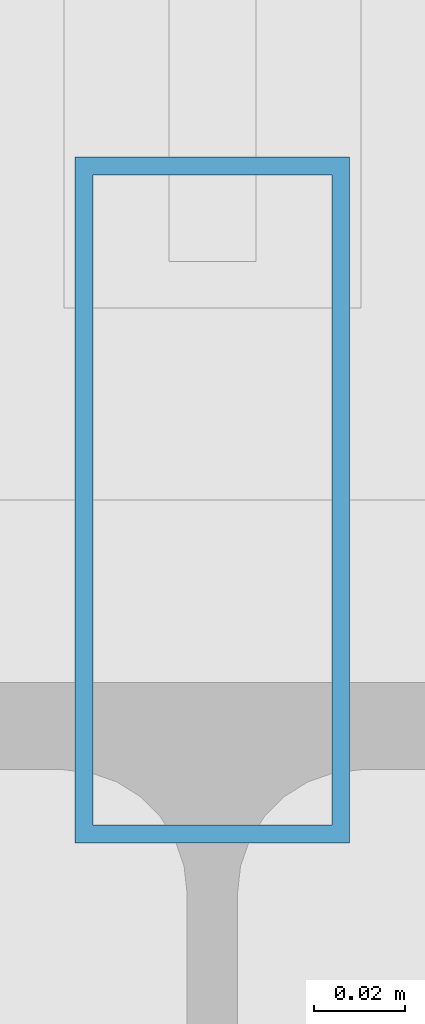
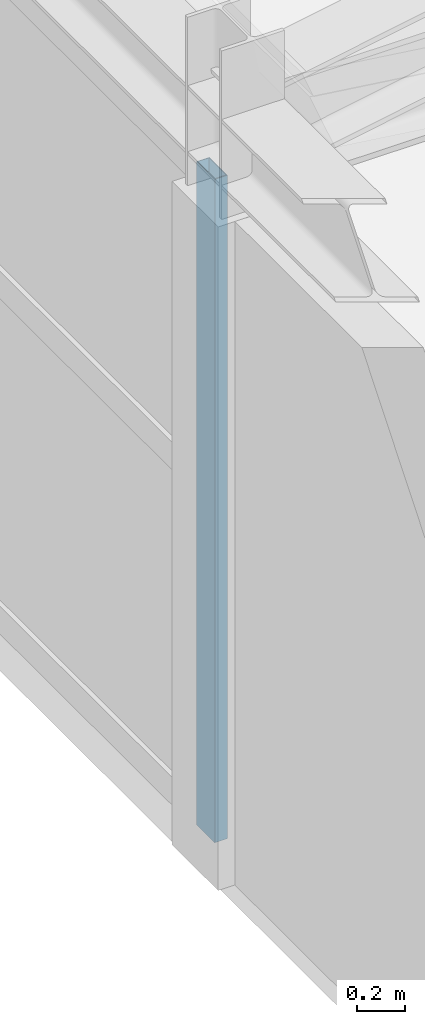
# One storey, part 19 of 63: 1 member, 1 element without a shape of its own.
"""IFC4 building model written with IfcOpenShell, lengths in metres."""

from ifc_helpers import new_model, si_unit, direction, frame, origin, origin_2d, place, context, subcontext, project, spatial, hollow_rectangle, extrude, material, material_profile, profile_set, type_object, element, aggregate, save


model = new_model("IFC4")

# Units and contexts
model_context = context("Model", 3, precision=1e-05, world=origin(), true_north=direction((0.0, 1.0)))
body_context = subcontext(model_context, "Body", "Model", "MODEL_VIEW")
ifc_project = project(units=[si_unit("LENGTHUNIT", "METRE"), si_unit("AREAUNIT", "SQUARE_METRE"), si_unit("VOLUMEUNIT", "CUBIC_METRE"), si_unit("PLANEANGLEUNIT", "RADIAN"), si_unit("MASSUNIT", "GRAM", prefix="KILO")], contexts=[model_context])

# Site, building, storey
site_placement = place(None, origin())
site = spatial("IfcSite", under=ifc_project, at=site_placement, CompositionType="ELEMENT")
building_placement = place(site_placement, origin())
building = spatial("IfcBuilding", under=site, at=building_placement, Name="Tarnveldt Headland Concert Hall", CompositionType="ELEMENT")
storey_placement = place(building_placement, frame((0.0, 0.0, 14.39990234375)))
storey = spatial("IfcBuildingStorey", under=building, at=storey_placement, Name="L03", CompositionType="ELEMENT", Elevation=14.39990234375)

# Curtain wall, member
ifc_material = material(Name="Marine-anodised aluminium EN AW-6063-T6", Category="aluminium")
curtain_wall_type = type_object("IfcCurtainWallType", Name="CW-R3", PredefinedType="NOTDEFINED", material=ifc_material)
curtain_wall_placement = place(storey_placement, origin())
curtain_wall = element("IfcCurtainWall", 1, at=curtain_wall_placement, inside=storey, type_object=curtain_wall_type, Name="Curtain wall CW-L03-183", PredefinedType="NOTDEFINED")
ifc_material_profile = material_profile(ifc_material, hollow_rectangle(XDim=0.06005859375, YDim=0.14990234375, WallThickness=0.00390625, at=origin_2d()), Name="ALU MULLION 60x150x4", Category="aluminium")
ifc_profile_set = profile_set([ifc_material_profile], Name="Marine-anodised aluminium EN AW-6063-T6")
member_type = type_object("IfcMemberType", Name="ML-150", PredefinedType="MULLION", material=ifc_profile_set)
member_placement = place(storey_placement, frame((19.5, 104.18994140625, 0.0), z_axis=(0.0, 0.0, 1.0), x_axis=(1.0, 0.0, 0.0)))
member = element("IfcMember", 2, at=member_placement, type_object=member_type, Name="Mullion CW-L03-183-4", PredefinedType="MULLION", context=body_context, shape_type="SweptSolid", body=[
    extrude(hollow_rectangle(XDim=0.06005859375, YDim=0.14990234375, WallThickness=0.00390625, at=origin_2d()), origin(), (0.0, 0.0, 1.0), 3.35009765625),
])
aggregate(curtain_wall, [member])

save(model, "model.ifc")
